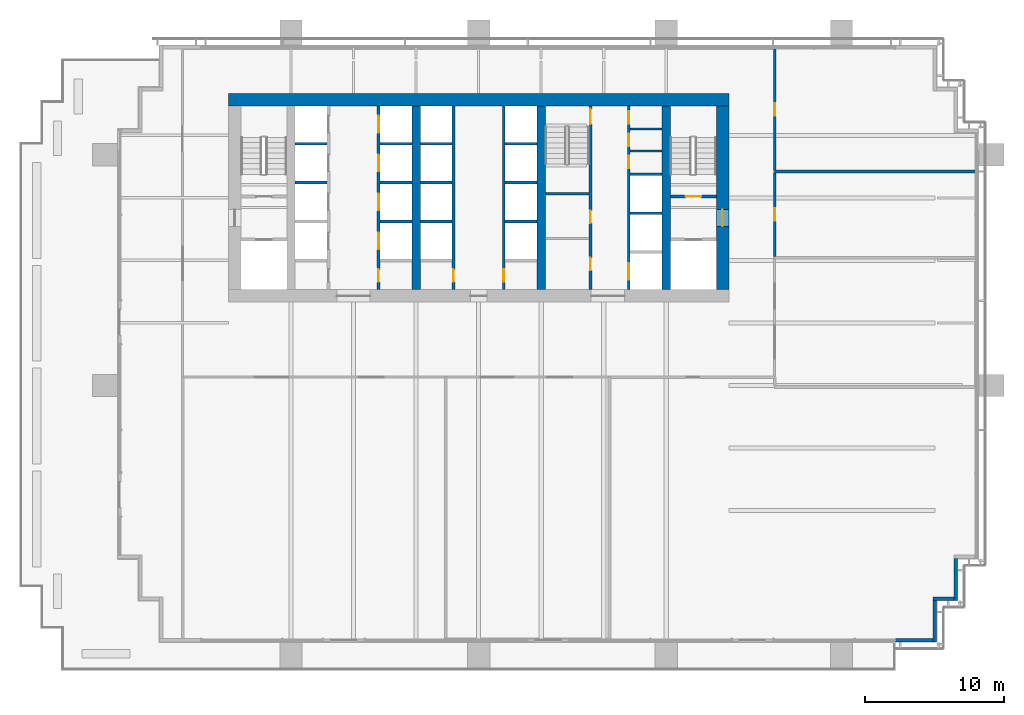
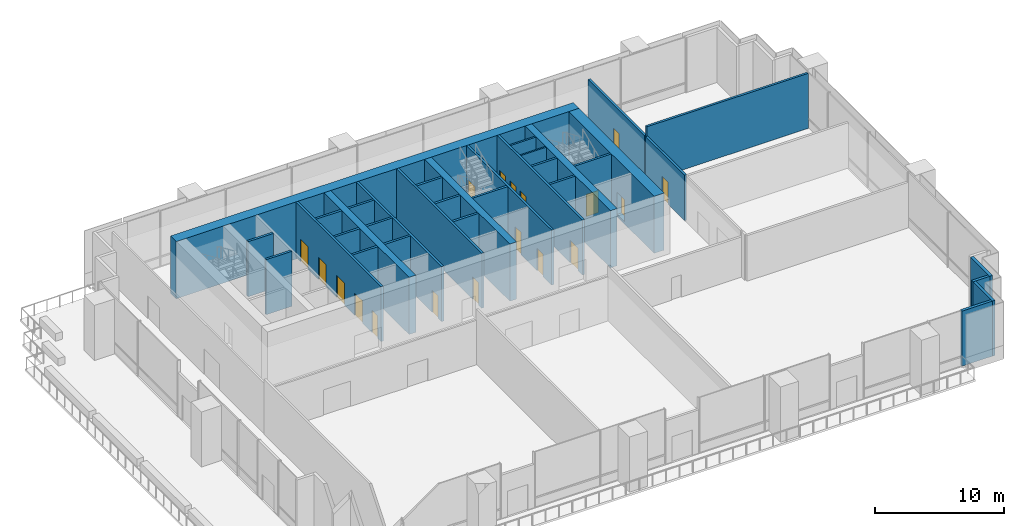
# One storey, part 9 of 15: 34 walls, 18 doors, 18 openings.
"""IFC4 building model written with IfcOpenShell, lengths in metres."""

from ifc_helpers import new_model, si_unit, direction, frame, frame_2d, origin, place, context, subcontext, project, spatial, rectangle, extrude, material, layer, layer_set, type_object, element, fill, save


model = new_model("IFC4")

# Units and contexts
model_context = context("Model", 3, precision=1e-05, world=origin(), true_north=direction((0.0, 1.0)))
body_context = subcontext(model_context, "Body", "Model", "MODEL_VIEW")
ifc_project = project(units=[si_unit("LENGTHUNIT", "METRE"), si_unit("AREAUNIT", "SQUARE_METRE"), si_unit("VOLUMEUNIT", "CUBIC_METRE"), si_unit("PLANEANGLEUNIT", "RADIAN"), si_unit("MASSUNIT", "GRAM", prefix="KILO")], contexts=[model_context])

# Site, building, storey
site_placement = place(None, origin())
site = spatial("IfcSite", under=ifc_project, at=site_placement, CompositionType="ELEMENT")
building_placement = place(site_placement, origin())
building = spatial("IfcBuilding", under=site, at=building_placement, Name="Rattan Terrace Tower", CompositionType="ELEMENT")
storey_placement = place(building_placement, frame((0.0, 0.0, 74.300048828125)))
storey = spatial("IfcBuildingStorey", under=building, at=storey_placement, Name="L16", CompositionType="ELEMENT", Elevation=74.300048828125)

# Walls
ifc_material_1 = material(Name="Gypsum board partition")
ifc_layer_1 = layer(ifc_material_1, 0.14990234375)
ifc_layer_set_1 = layer_set([ifc_layer_1], Name="Core partition 150")
wall_type_1 = type_object("IfcWallType", Name="Core partition 150", PredefinedType="PARTITIONING", material=ifc_layer_set_1)
for number, where, z_axis, x_axis, name in (
    (1, (10.89990234375, 3.384033203125, 0.0), (0.0, 0.0, 1.0), (1.0, 0.0, 0.0), "Riser room wall"),
    (2, (10.89990234375, 4.968017578125, 0.0), (0.0, 0.0, 1.0), (1.0, 0.0, 0.0), "Riser room wall"),
):
    element("IfcWall", number, at=place(storey_placement, frame(where, z_axis=z_axis, x_axis=x_axis)), inside=storey, type_object=wall_type_1, Name=name, PredefinedType="PARTITIONING", context=body_context, shape_type="SweptSolid", body=[
        extrude(rectangle(XDim=2.300048828125, YDim=0.14990234375, at=frame_2d((1.14990234375, 0.0))), origin(), (0.0, 0.0, 1.0), 5.199951171875),
    ])

# Wall, opening, door
ifc_material_2 = material(Name="Gypsum board partition")
ifc_layer_2 = layer(ifc_material_2, 0.199951171875)
ifc_layer_set_2 = layer_set([ifc_layer_2], Name="Core partition 200")
wall_type_2 = type_object("IfcWallType", Name="Core partition 200", PredefinedType="PARTITIONING", material=ifc_layer_set_2)
wall_1_placement = place(storey_placement, frame((13.800048828125, 0.10009765625, 0.0), z_axis=(0.0, 0.0, 1.0), x_axis=(1.0, 0.0, 0.0)))
wall_1 = element("IfcWall", 3, at=wall_1_placement, inside=storey, type_object=wall_type_2, Name="Stair enclosure wall", PredefinedType="PARTITIONING", context=body_context, shape_type="SweptSolid", body=[
    extrude(rectangle(XDim=3.300048828125, YDim=0.199951171875, at=frame_2d((1.64990234375, 0.0))), origin(), (0.0, 0.0, 1.0), 5.199951171875),
])
opening_1_placement = place(wall_1_placement, frame((1.10009765625, 0.0, 0.0)))
opening_1 = element("IfcOpeningElement", 4, at=opening_1_placement, cuts=wall_1, Name="Opening L16-D004", PredefinedType="OPENING", context=body_context, shape_type="SweptSolid", body=[
    extrude(rectangle(XDim=1.10009765625, YDim=2.10009765625, at=frame_2d((0.550048828125, 1.050048828125))), frame((0.0, 0.110595703125, 0.0), z_axis=(0.0, -1.0, 0.0), x_axis=(1.0, 0.0, 0.0)), (0.0, 0.0, 1.0), 0.220947265625),
])
ifc_material_3 = material(Name="Hollow-metal fire door leaf")
door_type_1 = type_object("IfcDoorType", Name="Core stair door 1100", OperationType="NOTDEFINED", PredefinedType="DOOR", material=ifc_material_3)
door_1_placement = place(opening_1_placement, origin())
door_1 = element("IfcDoor", 5, at=door_1_placement, inside=storey, type_object=door_type_1, Name="Door L16-D004", OperationType="SINGLE_SWING_RIGHT", OverallHeight=2.10009765625, OverallWidth=1.10009765625, PredefinedType="DOOR", context=body_context, shape_type="SweptSolid", body=[
    extrude(rectangle(XDim=1.10009765625, YDim=2.10009765625, at=frame_2d((0.550048828125, 1.050048828125))), frame((0.0, 0.02490234375, 0.0), z_axis=(0.0, -1.0, 0.0), x_axis=(1.0, 0.0, 0.0)), (0.0, 0.0, 1.0), 0.050048828125),
])
fill(opening_1, door_1)

# Wall, openings, doors
wall_2_placement = place(storey_placement, frame((8.050048828125, -6.60009765625, 0.0), z_axis=(0.0, 0.0, 1.0), x_axis=(0.0, 1.0, 0.0)))
wall_2 = element("IfcWall", 6, at=wall_2_placement, inside=storey, type_object=wall_type_2, Name="Lobby wall west", PredefinedType="PARTITIONING", context=body_context, shape_type="SweptSolid", body=[
    extrude(rectangle(XDim=13.2001953125, YDim=0.199951171875, at=frame_2d((6.60009765625, 0.0))), origin(), (0.0, 0.0, 1.0), 5.199951171875),
])
opening_2_placement = place(wall_2_placement, frame((1.385986328125, 0.0, 0.0)))
opening_2 = element("IfcOpeningElement", 7, at=opening_2_placement, cuts=wall_2, Name="Opening L16-D011", PredefinedType="OPENING", context=body_context, shape_type="SweptSolid", body=[
    extrude(rectangle(XDim=0.89990234375, YDim=2.10009765625, at=frame_2d((0.449951171875, 1.050048828125))), frame((0.0, 0.110595703125, 0.0), z_axis=(0.0, -1.0, 0.0), x_axis=(1.0, 0.0, 0.0)), (0.0, 0.0, 1.0), 0.220947265625),
])
opening_3_placement = place(wall_2_placement, frame((4.785888671875, 0.0, 0.0)))
opening_3 = element("IfcOpeningElement", 8, at=opening_3_placement, cuts=wall_2, Name="Opening L16-D012", PredefinedType="OPENING", context=body_context, shape_type="SweptSolid", body=[
    extrude(rectangle(XDim=0.89990234375, YDim=2.10009765625, at=frame_2d((0.449951171875, 1.050048828125))), frame((0.0, 0.110595703125, 0.0), z_axis=(0.0, -1.0, 0.0), x_axis=(1.0, 0.0, 0.0)), (0.0, 0.0, 1.0), 0.220947265625),
])
opening_4_placement = place(wall_2_placement, frame((11.89990234375, 0.0, 0.0)))
opening_4 = element("IfcOpeningElement", 9, at=opening_4_placement, cuts=wall_2, Name="Opening L16-D013", PredefinedType="OPENING", context=body_context, shape_type="SweptSolid", body=[
    extrude(rectangle(XDim=1.10009765625, YDim=2.10009765625, at=frame_2d((0.550048828125, 1.050048828125))), frame((0.0, 0.110595703125, 0.0), z_axis=(0.0, -1.0, 0.0), x_axis=(1.0, 0.0, 0.0)), (0.0, 0.0, 1.0), 0.220947265625),
])
door_2_placement = place(opening_4_placement, origin())
door_2 = element("IfcDoor", 10, at=door_2_placement, inside=storey, type_object=door_type_1, Name="Door L16-D013", OperationType="SINGLE_SWING_RIGHT", OverallHeight=2.10009765625, OverallWidth=1.10009765625, PredefinedType="DOOR", context=body_context, shape_type="SweptSolid", body=[
    extrude(rectangle(XDim=1.10009765625, YDim=2.10009765625, at=frame_2d((0.550048828125, 1.050048828125))), frame((0.0, 0.02490234375, 0.0), z_axis=(0.0, -1.0, 0.0), x_axis=(1.0, 0.0, 0.0)), (0.0, 0.0, 1.0), 0.050048828125),
])
fill(opening_4, door_2)
ifc_material_4 = material(Name="Hollow-metal fire door leaf")
door_type_2 = type_object("IfcDoorType", Name="Core toilet door 900", OperationType="NOTDEFINED", PredefinedType="DOOR", material=ifc_material_4)
door_3_placement = place(opening_2_placement, origin())
door_3 = element("IfcDoor", 11, at=door_3_placement, inside=storey, type_object=door_type_2, Name="Door L16-D011", OperationType="SINGLE_SWING_RIGHT", OverallHeight=2.10009765625, OverallWidth=0.89990234375, PredefinedType="DOOR", context=body_context, shape_type="SweptSolid", body=[
    extrude(rectangle(XDim=0.89990234375, YDim=2.10009765625, at=frame_2d((0.449951171875, 1.050048828125))), frame((0.0, 0.02490234375, 0.0), z_axis=(0.0, -1.0, 0.0), x_axis=(1.0, 0.0, 0.0)), (0.0, 0.0, 1.0), 0.050048828125),
])
fill(opening_2, door_3)
door_4_placement = place(opening_3_placement, origin())
door_4 = element("IfcDoor", 12, at=door_4_placement, inside=storey, type_object=door_type_2, Name="Door L16-D012", OperationType="SINGLE_SWING_LEFT", OverallHeight=2.10009765625, OverallWidth=0.89990234375, PredefinedType="DOOR", context=body_context, shape_type="SweptSolid", body=[
    extrude(rectangle(XDim=0.89990234375, YDim=2.10009765625, at=frame_2d((0.449951171875, 1.050048828125))), frame((0.0, 0.02490234375, 0.0), z_axis=(0.0, -1.0, 0.0), x_axis=(1.0, 0.0, 0.0)), (0.0, 0.0, 1.0), 0.050048828125),
])
fill(opening_3, door_4)

# Walls
wall_3_placement = place(storey_placement, frame((4.800048828125, 0.300048828125, 0.0), z_axis=(0.0, 0.0, 1.0), x_axis=(1.0, 0.0, 0.0)))
element("IfcWall", 13, at=wall_3_placement, inside=storey, type_object=wall_type_2, Name="Stair enclosure wall", PredefinedType="PARTITIONING", context=body_context, shape_type="SweptSolid", body=[
    extrude(rectangle(XDim=3.14990234375, YDim=0.199951171875, at=frame_2d((1.574951171875, 0.0))), origin(), (0.0, 0.0, 1.0), 5.199951171875),
])
ifc_material_5 = material(Name="Concrete C70/85", Category="concrete")
ifc_layer_3 = layer(ifc_material_5, 0.89990234375)
ifc_layer_set_3 = layer_set([ifc_layer_3], Name="Core ring wall 900 C70/85")
wall_type_3 = type_object("IfcWallType", Name="Core ring wall 900 C70/85", PredefinedType="SHEAR", material=ifc_layer_set_3)
wall_4_placement = place(storey_placement, frame((-18.0, 7.050048828125, -0.199951171875), z_axis=(0.0, 0.0, 1.0), x_axis=(1.0, 0.0, 0.0)))
element("IfcWall", 14, at=wall_4_placement, inside=storey, type_object=wall_type_3, Name="Rear core wall north", PredefinedType="SHEAR", context=body_context, shape_type="SweptSolid", body=[
    extrude(rectangle(XDim=36.0, YDim=0.89990234375, at=frame_2d((18.0, 0.0))), origin(), (0.0, 0.0, 1.0), 5.39990234375),
])

# Wall, opening, door
wall_5_placement = place(storey_placement, frame((17.550048828125, -6.60009765625, -0.199951171875), z_axis=(0.0, 0.0, 1.0), x_axis=(0.0, 1.0, 0.0)))
wall_5 = element("IfcWall", 15, at=wall_5_placement, inside=storey, type_object=wall_type_3, Name="Rear core wall east", PredefinedType="SHEAR", context=body_context, shape_type="SweptSolid", body=[
    extrude(rectangle(XDim=13.2001953125, YDim=0.89990234375, at=frame_2d((6.60009765625, 0.0))), origin(), (0.0, 0.0, 1.0), 5.39990234375),
])
opening_5_placement = place(wall_5_placement, frame((4.550048828125, 0.0, 0.199951171875)))
opening_5 = element("IfcOpeningElement", 16, at=opening_5_placement, cuts=wall_5, Name="Opening L16-D003", PredefinedType="OPENING", context=body_context, shape_type="SweptSolid", body=[
    extrude(rectangle(XDim=1.199951171875, YDim=2.10009765625, at=frame_2d((0.60009765625, 1.050048828125))), frame((0.0, 0.46044921875, 0.0), z_axis=(0.0, -1.0, 0.0), x_axis=(1.0, 0.0, 0.0)), (0.0, 0.0, 1.0), 0.9208984375),
])
ifc_material_6 = material(Name="Hollow-metal fire door leaf")
door_type_3 = type_object("IfcDoorType", Name="Core fire-fighting lobby door 1200", OperationType="NOTDEFINED", PredefinedType="DOOR", material=ifc_material_6)
door_5_placement = place(opening_5_placement, origin())
door_5 = element("IfcDoor", 17, at=door_5_placement, inside=storey, type_object=door_type_3, Name="Door L16-D003", OperationType="SINGLE_SWING_LEFT", OverallHeight=2.10009765625, OverallWidth=1.199951171875, PredefinedType="DOOR", context=body_context, shape_type="SweptSolid", body=[
    extrude(rectangle(XDim=1.199951171875, YDim=2.10009765625, at=frame_2d((0.60009765625, 1.050048828125))), frame((0.0, 0.02490234375, 0.0), z_axis=(0.0, -1.0, 0.0), x_axis=(1.0, 0.0, 0.0)), (0.0, 0.0, 1.0), 0.050048828125),
])
fill(opening_5, door_5)

# Walls
ifc_material_7 = material(Name="Concrete C70/85", Category="concrete")
ifc_layer_4 = layer(ifc_material_7, 0.60009765625)
ifc_layer_set_4 = layer_set([ifc_layer_4], Name="Core spine wall 600 C70/85")
wall_type_4 = type_object("IfcWallType", Name="Core spine wall 600 C70/85", PredefinedType="SHEAR", material=ifc_layer_set_4)
for number, where, z_axis, x_axis, name in (
    (18, (-4.5, -6.60009765625, -0.199951171875), (0.0, 0.0, 1.0), (0.0, 1.0, 0.0), "Core spine wall 2"),
    (19, (4.5, -6.60009765625, -0.199951171875), (0.0, 0.0, 1.0), (0.0, 1.0, 0.0), "Core spine wall 3"),
    (20, (13.5, -6.60009765625, -0.199951171875), (0.0, 0.0, 1.0), (0.0, 1.0, 0.0), "Core spine wall 4"),
):
    element("IfcWall", number, at=place(storey_placement, frame(where, z_axis=z_axis, x_axis=x_axis)), inside=storey, type_object=wall_type_4, Name=name, PredefinedType="SHEAR", context=body_context, shape_type="SweptSolid", body=[
        extrude(rectangle(XDim=13.2001953125, YDim=0.60009765625, at=frame_2d((6.60009765625, 0.0))), origin(), (0.0, 0.0, 1.0), 5.39990234375),
    ])
ifc_material_8 = material(Name="Insulated aluminium-clad stud wall", Category="aluminium")
ifc_layer_5 = layer(ifc_material_8, 0.25)
ifc_layer_set_5 = layer_set([ifc_layer_5], Name="Facade Riser Wall 250")
wall_type_5 = type_object("IfcWallType", Name="Facade Riser Wall 250", PredefinedType="SOLIDWALL", material=ifc_layer_set_5)
wall_6_placement = place(storey_placement, frame((30.0, -31.830078125, 0.0), z_axis=(0.0, 0.0, 1.0), x_axis=(1.0, 0.0, 0.0)))
element("IfcWall", 21, at=wall_6_placement, inside=storey, type_object=wall_type_5, Name="Riser wall L16-1", PredefinedType="SOLIDWALL", context=body_context, shape_type="SweptSolid", body=[
    extrude(rectangle(XDim=2.705078125, YDim=0.25, at=frame_2d((1.3525390625, 0.0))), origin(), (0.0, 0.0, 1.0), 5.199951171875),
])
wall_7_placement = place(storey_placement, frame((32.830078125, -31.955078125, 0.0), z_axis=(0.0, 0.0, 1.0), x_axis=(0.0, 1.0, 0.0)))
element("IfcWall", 22, at=wall_7_placement, inside=storey, type_object=wall_type_5, Name="Riser wall L16-2", PredefinedType="SOLIDWALL", context=body_context, shape_type="SweptSolid", body=[
    extrude(rectangle(XDim=3.0, YDim=0.25, at=frame_2d((1.5, 0.0))), origin(), (0.0, 0.0, 1.0), 5.199951171875),
])
wall_8_placement = place(storey_placement, frame((32.705078125, -28.830078125, 0.0), z_axis=(0.0, 0.0, 1.0), x_axis=(1.0, 0.0, 0.0)))
element("IfcWall", 23, at=wall_8_placement, inside=storey, type_object=wall_type_5, Name="Riser wall L16-3", PredefinedType="SOLIDWALL", context=body_context, shape_type="SweptSolid", body=[
    extrude(rectangle(XDim=1.5, YDim=0.25, at=frame_2d((0.75, 0.0))), origin(), (0.0, 0.0, 1.0), 5.199951171875),
])
wall_9_placement = place(storey_placement, frame((34.330078125, -28.955078125, 0.0), z_axis=(0.0, 0.0, 1.0), x_axis=(0.0, 1.0, 0.0)))
element("IfcWall", 24, at=wall_9_placement, inside=storey, type_object=wall_type_5, Name="Riser wall L16-4", PredefinedType="SOLIDWALL", context=body_context, shape_type="SweptSolid", body=[
    extrude(rectangle(XDim=3.0, YDim=0.25, at=frame_2d((1.5, 0.0))), origin(), (0.0, 0.0, 1.0), 5.199951171875),
])

# Wall, opening, door
ifc_material_9 = material(Name="Concrete block wall, plastered", Category="concrete")
ifc_layer_6 = layer(ifc_material_9, 0.199951171875)
ifc_layer_set_6 = layer_set([ifc_layer_6], Name="Floors Plant Wall 200")
wall_type_6 = type_object("IfcWallType", Name="Floors Plant Wall 200", PredefinedType="PARTITIONING", material=ifc_layer_set_6)
wall_10_placement = place(storey_placement, frame((21.299072265625, 1.800048828125, 0.0), z_axis=(0.0, 0.0, 1.0), x_axis=(0.0, -1.0, 0.0)))
wall_10 = element("IfcWall", 25, at=wall_10_placement, inside=storey, type_object=wall_type_6, Name="pt-L16-006", PredefinedType="PARTITIONING", context=body_context, shape_type="SweptSolid", body=[
    extrude(rectangle(XDim=6.0, YDim=0.199951171875, at=frame_2d((3.0, 0.0))), origin(), (0.0, 0.0, 1.0), 4.300048828125),
])
opening_6_placement = place(wall_10_placement, frame((2.550048828125, 0.0, 0.0)))
opening_6 = element("IfcOpeningElement", 26, at=opening_6_placement, cuts=wall_10, Name="Opening L16-D105", PredefinedType="OPENING", context=body_context, shape_type="SweptSolid", body=[
    extrude(rectangle(XDim=0.89990234375, YDim=2.10009765625, at=frame_2d((0.449951171875, 1.050048828125))), frame((0.0, 0.110595703125, 0.0), z_axis=(0.0, -1.0, 0.0), x_axis=(1.0, 0.0, 0.0)), (0.0, 0.0, 1.0), 0.220947265625),
])
ifc_material_10 = material(Name="Steel fire door set", Category="steel")
door_type_4 = type_object("IfcDoorType", Name="Floors Fire Door FD60 900x2100", OperationType="NOTDEFINED", PredefinedType="DOOR", material=ifc_material_10)
door_6_placement = place(opening_6_placement, origin())
door_6 = element("IfcDoor", 27, at=door_6_placement, inside=storey, type_object=door_type_4, Name="d-L16-105", OperationType="SINGLE_SWING_RIGHT", OverallHeight=2.10009765625, OverallWidth=0.89990234375, PredefinedType="DOOR", context=body_context, shape_type="SweptSolid", body=[
    extrude(rectangle(XDim=0.89990234375, YDim=2.10009765625, at=frame_2d((0.449951171875, 1.050048828125))), frame((0.0, 0.02490234375, 0.0), z_axis=(0.0, -1.0, 0.0), x_axis=(1.0, 0.0, 0.0)), (0.0, 0.0, 1.0), 0.050048828125),
])
fill(opening_6, door_6)

wall_11_placement = place(storey_placement, frame((21.300048828125, 10.739990234375, 0.0), z_axis=(0.0, 0.0, 1.0), x_axis=(0.0, -1.0, 0.0)))
wall_11 = element("IfcWall", 28, at=wall_11_placement, inside=storey, type_object=wall_type_6, Name="pt-L16-007", PredefinedType="PARTITIONING", context=body_context, shape_type="SweptSolid", body=[
    extrude(rectangle(XDim=8.739990234375, YDim=0.199951171875, at=frame_2d((4.3701171875, 0.0))), origin(), (0.0, 0.0, 1.0), 4.300048828125),
])
opening_7_placement = place(wall_11_placement, frame((3.919921875, 0.0, 0.0)))
opening_7 = element("IfcOpeningElement", 29, at=opening_7_placement, cuts=wall_11, Name="Opening L16-D106", PredefinedType="OPENING", context=body_context, shape_type="SweptSolid", body=[
    extrude(rectangle(XDim=0.89990234375, YDim=2.10009765625, at=frame_2d((0.449951171875, 1.050048828125))), frame((0.0, 0.110595703125, 0.0), z_axis=(0.0, -1.0, 0.0), x_axis=(1.0, 0.0, 0.0)), (0.0, 0.0, 1.0), 0.220947265625),
])
door_7_placement = place(opening_7_placement, origin())
door_7 = element("IfcDoor", 30, at=door_7_placement, inside=storey, type_object=door_type_4, Name="d-L16-106", OperationType="SINGLE_SWING_LEFT", OverallHeight=2.10009765625, OverallWidth=0.89990234375, PredefinedType="DOOR", context=body_context, shape_type="SweptSolid", body=[
    extrude(rectangle(XDim=0.89990234375, YDim=2.10009765625, at=frame_2d((0.449951171875, 1.050048828125))), frame((0.0, 0.02490234375, 0.0), z_axis=(0.0, -1.0, 0.0), x_axis=(1.0, 0.0, 0.0)), (0.0, 0.0, 1.0), 0.050048828125),
])
fill(opening_7, door_7)

# Wall
wall_12_placement = place(storey_placement, frame((21.300048828125, 1.89990234375, 0.0), z_axis=(0.0, 0.0, 1.0), x_axis=(1.0, 0.0, 0.0)))
element("IfcWall", 31, at=wall_12_placement, inside=storey, type_object=wall_type_6, Name="pt-L16-014", PredefinedType="PARTITIONING", context=body_context, shape_type="SweptSolid", body=[
    extrude(rectangle(XDim=14.43994140625, YDim=0.199951171875, at=frame_2d((7.219970703125, 0.0))), origin(), (0.0, 0.0, 1.0), 5.199951171875),
])

# Wall, openings, doors
ifc_material_11 = material(Name="Gypsum shaft wall system")
ifc_layer_7 = layer(ifc_material_11, 0.199951171875)
ifc_layer_set_7 = layer_set([ifc_layer_7], Name="Lift shaft wall 200")
wall_type_7 = type_object("IfcWallType", Name="Lift shaft wall 200", PredefinedType="PARTITIONING", material=ifc_layer_set_7)
wall_13_placement = place(storey_placement, frame((-7.199951171875, -6.60009765625, 0.0), z_axis=(0.0, 0.0, 1.0), x_axis=(0.0, 1.0, 0.0)))
wall_13 = element("IfcWall", 32, at=wall_13_placement, inside=storey, type_object=wall_type_7, Name="Lift shaft front wall", PredefinedType="PARTITIONING", context=body_context, shape_type="SweptSolid", body=[
    extrude(rectangle(XDim=13.2001953125, YDim=0.199951171875, at=frame_2d((6.60009765625, 0.0))), origin(), (0.0, 0.0, 1.0), 5.199951171875),
])
opening_8_placement = place(wall_13_placement, frame((0.550048828125, 0.0, 0.0)))
opening_8 = element("IfcOpeningElement", 33, at=opening_8_placement, cuts=wall_13, Name="Opening L16-D006", PredefinedType="OPENING", context=body_context, shape_type="SweptSolid", body=[
    extrude(rectangle(XDim=0.89990234375, YDim=2.10009765625, at=frame_2d((0.449951171875, 1.050048828125))), frame((0.0, 0.110595703125, 0.0), z_axis=(0.0, -1.0, 0.0), x_axis=(1.0, 0.0, 0.0)), (0.0, 0.0, 1.0), 0.220947265625),
])
opening_9_placement = place(wall_13_placement, frame((2.89990234375, 0.0, 0.0)))
opening_9 = element("IfcOpeningElement", 34, at=opening_9_placement, cuts=wall_13, Name="Opening L16-LD-LR5", PredefinedType="OPENING", context=body_context, shape_type="SweptSolid", body=[
    extrude(rectangle(XDim=1.199951171875, YDim=2.10009765625, at=frame_2d((0.60009765625, 1.050048828125))), frame((0.0, 0.110595703125, 0.0), z_axis=(0.0, -1.0, 0.0), x_axis=(1.0, 0.0, 0.0)), (0.0, 0.0, 1.0), 0.220947265625),
])
opening_10_placement = place(wall_13_placement, frame((5.699951171875, 0.0, 0.0)))
opening_10 = element("IfcOpeningElement", 35, at=opening_10_placement, cuts=wall_13, Name="Opening L16-LD-LR6", PredefinedType="OPENING", context=body_context, shape_type="SweptSolid", body=[
    extrude(rectangle(XDim=1.199951171875, YDim=2.10009765625, at=frame_2d((0.60009765625, 1.050048828125))), frame((0.0, 0.110595703125, 0.0), z_axis=(0.0, -1.0, 0.0), x_axis=(1.0, 0.0, 0.0)), (0.0, 0.0, 1.0), 0.220947265625),
])
opening_11_placement = place(wall_13_placement, frame((8.5, 0.0, 0.0)))
opening_11 = element("IfcOpeningElement", 36, at=opening_11_placement, cuts=wall_13, Name="Opening L16-LD-LR7", PredefinedType="OPENING", context=body_context, shape_type="SweptSolid", body=[
    extrude(rectangle(XDim=1.199951171875, YDim=2.10009765625, at=frame_2d((0.60009765625, 1.050048828125))), frame((0.0, 0.110595703125, 0.0), z_axis=(0.0, -1.0, 0.0), x_axis=(1.0, 0.0, 0.0)), (0.0, 0.0, 1.0), 0.220947265625),
])
opening_12_placement = place(wall_13_placement, frame((11.300048828125, 0.0, 0.0)))
opening_12 = element("IfcOpeningElement", 37, at=opening_12_placement, cuts=wall_13, Name="Opening L16-LD-LR8", PredefinedType="OPENING", context=body_context, shape_type="SweptSolid", body=[
    extrude(rectangle(XDim=1.199951171875, YDim=2.10009765625, at=frame_2d((0.60009765625, 1.050048828125))), frame((0.0, 0.110595703125, 0.0), z_axis=(0.0, -1.0, 0.0), x_axis=(1.0, 0.0, 0.0)), (0.0, 0.0, 1.0), 0.220947265625),
])
ifc_material_12 = material(Name="Brushed stainless landing door panel")
door_type_5 = type_object("IfcDoorType", Name="Core lift landing door 1200", OperationType="DOUBLE_DOOR_SLIDING", PredefinedType="DOOR", material=ifc_material_12)
door_8_placement = place(opening_9_placement, origin())
door_8 = element("IfcDoor", 38, at=door_8_placement, inside=storey, type_object=door_type_5, Name="Door L16-LD-LR5", OperationType="DOUBLE_DOOR_SLIDING", OverallHeight=2.10009765625, OverallWidth=1.199951171875, PredefinedType="DOOR", context=body_context, shape_type="SweptSolid", body=[
    extrude(rectangle(XDim=1.199951171875, YDim=2.10009765625, at=frame_2d((0.60009765625, 1.050048828125))), frame((0.0, 0.02490234375, 0.0), z_axis=(0.0, -1.0, 0.0), x_axis=(1.0, 0.0, 0.0)), (0.0, 0.0, 1.0), 0.050048828125),
])
fill(opening_9, door_8)
door_9_placement = place(opening_10_placement, origin())
door_9 = element("IfcDoor", 39, at=door_9_placement, inside=storey, type_object=door_type_5, Name="Door L16-LD-LR6", OperationType="DOUBLE_DOOR_SLIDING", OverallHeight=2.10009765625, OverallWidth=1.199951171875, PredefinedType="DOOR", context=body_context, shape_type="SweptSolid", body=[
    extrude(rectangle(XDim=1.199951171875, YDim=2.10009765625, at=frame_2d((0.60009765625, 1.050048828125))), frame((0.0, 0.02490234375, 0.0), z_axis=(0.0, -1.0, 0.0), x_axis=(1.0, 0.0, 0.0)), (0.0, 0.0, 1.0), 0.050048828125),
])
fill(opening_10, door_9)
door_10_placement = place(opening_11_placement, origin())
door_10 = element("IfcDoor", 40, at=door_10_placement, inside=storey, type_object=door_type_5, Name="Door L16-LD-LR7", OperationType="DOUBLE_DOOR_SLIDING", OverallHeight=2.10009765625, OverallWidth=1.199951171875, PredefinedType="DOOR", context=body_context, shape_type="SweptSolid", body=[
    extrude(rectangle(XDim=1.199951171875, YDim=2.10009765625, at=frame_2d((0.60009765625, 1.050048828125))), frame((0.0, 0.02490234375, 0.0), z_axis=(0.0, -1.0, 0.0), x_axis=(1.0, 0.0, 0.0)), (0.0, 0.0, 1.0), 0.050048828125),
])
fill(opening_11, door_10)
door_11_placement = place(opening_12_placement, origin())
door_11 = element("IfcDoor", 41, at=door_11_placement, inside=storey, type_object=door_type_5, Name="Door L16-LD-LR8", OperationType="DOUBLE_DOOR_SLIDING", OverallHeight=2.10009765625, OverallWidth=1.199951171875, PredefinedType="DOOR", context=body_context, shape_type="SweptSolid", body=[
    extrude(rectangle(XDim=1.199951171875, YDim=2.10009765625, at=frame_2d((0.60009765625, 1.050048828125))), frame((0.0, 0.02490234375, 0.0), z_axis=(0.0, -1.0, 0.0), x_axis=(1.0, 0.0, 0.0)), (0.0, 0.0, 1.0), 0.050048828125),
])
fill(opening_12, door_11)
ifc_material_13 = material(Name="Hollow-metal fire door leaf")
door_type_6 = type_object("IfcDoorType", Name="Core riser door 900", OperationType="NOTDEFINED", PredefinedType="DOOR", material=ifc_material_13)
door_12_placement = place(opening_8_placement, origin())
door_12 = element("IfcDoor", 42, at=door_12_placement, inside=storey, type_object=door_type_6, Name="Door L16-D006", OperationType="SINGLE_SWING_RIGHT", OverallHeight=2.10009765625, OverallWidth=0.89990234375, PredefinedType="DOOR", context=body_context, shape_type="SweptSolid", body=[
    extrude(rectangle(XDim=0.89990234375, YDim=2.10009765625, at=frame_2d((0.449951171875, 1.050048828125))), frame((0.0, 0.02490234375, 0.0), z_axis=(0.0, -1.0, 0.0), x_axis=(1.0, 0.0, 0.0)), (0.0, 0.0, 1.0), 0.050048828125),
])
fill(opening_8, door_12)

# Walls
for number, where, z_axis, x_axis, name in (
    (43, (-13.199951171875, 1.10009765625, 0.0), (0.0, 0.0, 1.0), (1.0, 0.0, 0.0), "Lift shaft wall"),
    (44, (-13.199951171875, 3.89990234375, 0.0), (0.0, 0.0, 1.0), (1.0, 0.0, 0.0), "Lift shaft wall"),
    (45, (-7.10009765625, -1.699951171875, 0.0), (0.0, 0.0, 1.0), (1.0, 0.0, 0.0), "Lift shaft wall"),
    (46, (-7.10009765625, 1.10009765625, 0.0), (0.0, 0.0, 1.0), (1.0, 0.0, 0.0), "Lift shaft wall"),
    (47, (-7.10009765625, 3.89990234375, 0.0), (0.0, 0.0, 1.0), (1.0, 0.0, 0.0), "Lift shaft wall"),
):
    element("IfcWall", number, at=place(storey_placement, frame(where, z_axis=z_axis, x_axis=x_axis)), inside=storey, type_object=wall_type_7, Name=name, PredefinedType="PARTITIONING", context=body_context, shape_type="SweptSolid", body=[
        extrude(rectangle(XDim=2.300048828125, YDim=0.199951171875, at=frame_2d((1.14990234375, 0.0))), origin(), (0.0, 0.0, 1.0), 5.199951171875),
    ])

# Wall, opening, door
wall_14_placement = place(storey_placement, frame((-1.800048828125, -6.60009765625, 0.0), z_axis=(0.0, 0.0, 1.0), x_axis=(0.0, 1.0, 0.0)))
wall_14 = element("IfcWall", 48, at=wall_14_placement, inside=storey, type_object=wall_type_7, Name="Lift shaft front wall", PredefinedType="PARTITIONING", context=body_context, shape_type="SweptSolid", body=[
    extrude(rectangle(XDim=13.2001953125, YDim=0.199951171875, at=frame_2d((6.60009765625, 0.0))), origin(), (0.0, 0.0, 1.0), 5.199951171875),
])
opening_13_placement = place(wall_14_placement, frame((0.550048828125, 0.0, 0.0)))
opening_13 = element("IfcOpeningElement", 49, at=opening_13_placement, cuts=wall_14, Name="Opening L16-D008", PredefinedType="OPENING", context=body_context, shape_type="SweptSolid", body=[
    extrude(rectangle(XDim=0.89990234375, YDim=2.10009765625, at=frame_2d((0.449951171875, 1.050048828125))), frame((0.0, 0.110595703125, 0.0), z_axis=(0.0, -1.0, 0.0), x_axis=(1.0, 0.0, 0.0)), (0.0, 0.0, 1.0), 0.220947265625),
])
door_13_placement = place(opening_13_placement, origin())
door_13 = element("IfcDoor", 50, at=door_13_placement, inside=storey, type_object=door_type_6, Name="Door L16-D008", OperationType="SINGLE_SWING_LEFT", OverallHeight=2.10009765625, OverallWidth=0.89990234375, PredefinedType="DOOR", context=body_context, shape_type="SweptSolid", body=[
    extrude(rectangle(XDim=0.89990234375, YDim=2.10009765625, at=frame_2d((0.449951171875, 1.050048828125))), frame((0.0, 0.02490234375, 0.0), z_axis=(0.0, -1.0, 0.0), x_axis=(1.0, 0.0, 0.0)), (0.0, 0.0, 1.0), 0.050048828125),
])
fill(opening_13, door_13)

wall_15_placement = place(storey_placement, frame((1.800048828125, -6.60009765625, 0.0), z_axis=(0.0, 0.0, 1.0), x_axis=(0.0, 1.0, 0.0)))
wall_15 = element("IfcWall", 51, at=wall_15_placement, inside=storey, type_object=wall_type_7, Name="Lift shaft front wall", PredefinedType="PARTITIONING", context=body_context, shape_type="SweptSolid", body=[
    extrude(rectangle(XDim=13.2001953125, YDim=0.199951171875, at=frame_2d((6.60009765625, 0.0))), origin(), (0.0, 0.0, 1.0), 5.199951171875),
])
opening_14_placement = place(wall_15_placement, frame((0.550048828125, 0.0, 0.0)))
opening_14 = element("IfcOpeningElement", 52, at=opening_14_placement, cuts=wall_15, Name="Opening L16-D009", PredefinedType="OPENING", context=body_context, shape_type="SweptSolid", body=[
    extrude(rectangle(XDim=0.89990234375, YDim=2.10009765625, at=frame_2d((0.449951171875, 1.050048828125))), frame((0.0, 0.110595703125, 0.0), z_axis=(0.0, -1.0, 0.0), x_axis=(1.0, 0.0, 0.0)), (0.0, 0.0, 1.0), 0.220947265625),
])
door_14_placement = place(opening_14_placement, origin())
door_14 = element("IfcDoor", 53, at=door_14_placement, inside=storey, type_object=door_type_6, Name="Door L16-D009", OperationType="SINGLE_SWING_RIGHT", OverallHeight=2.10009765625, OverallWidth=0.89990234375, PredefinedType="DOOR", context=body_context, shape_type="SweptSolid", body=[
    extrude(rectangle(XDim=0.89990234375, YDim=2.10009765625, at=frame_2d((0.449951171875, 1.050048828125))), frame((0.0, 0.02490234375, 0.0), z_axis=(0.0, -1.0, 0.0), x_axis=(1.0, 0.0, 0.0)), (0.0, 0.0, 1.0), 0.050048828125),
])
fill(opening_14, door_14)

# Walls
for number, where, z_axis, x_axis, name in (
    (54, (-4.199951171875, -1.699951171875, 0.0), (0.0, 0.0, 1.0), (1.0, 0.0, 0.0), "Lift shaft wall"),
    (55, (-4.199951171875, 1.10009765625, 0.0), (0.0, 0.0, 1.0), (1.0, 0.0, 0.0), "Lift shaft wall"),
    (56, (-4.199951171875, 3.89990234375, 0.0), (0.0, 0.0, 1.0), (1.0, 0.0, 0.0), "Lift shaft wall"),
    (57, (1.89990234375, -1.699951171875, 0.0), (0.0, 0.0, 1.0), (1.0, 0.0, 0.0), "Lift shaft wall"),
    (58, (1.89990234375, 1.10009765625, 0.0), (0.0, 0.0, 1.0), (1.0, 0.0, 0.0), "Lift shaft wall"),
    (59, (1.89990234375, 3.89990234375, 0.0), (0.0, 0.0, 1.0), (1.0, 0.0, 0.0), "Lift shaft wall"),
):
    element("IfcWall", number, at=place(storey_placement, frame(where, z_axis=z_axis, x_axis=x_axis)), inside=storey, type_object=wall_type_7, Name=name, PredefinedType="PARTITIONING", context=body_context, shape_type="SweptSolid", body=[
        extrude(rectangle(XDim=2.300048828125, YDim=0.199951171875, at=frame_2d((1.14990234375, 0.0))), origin(), (0.0, 0.0, 1.0), 5.199951171875),
    ])

# Wall, openings, doors
wall_16_placement = place(storey_placement, frame((10.800048828125, -6.60009765625, 0.0), z_axis=(0.0, 0.0, 1.0), x_axis=(0.0, 1.0, 0.0)))
wall_16 = element("IfcWall", 60, at=wall_16_placement, inside=storey, type_object=wall_type_7, Name="Lift shaft front wall", PredefinedType="PARTITIONING", context=body_context, shape_type="SweptSolid", body=[
    extrude(rectangle(XDim=13.2001953125, YDim=0.199951171875, at=frame_2d((6.60009765625, 0.0))), origin(), (0.0, 0.0, 1.0), 5.199951171875),
])
opening_15_placement = place(wall_16_placement, frame((0.699951171875, 0.0, 0.0)))
opening_15 = element("IfcOpeningElement", 61, at=opening_15_placement, cuts=wall_16, Name="Opening L16-LD-SV1", PredefinedType="OPENING", context=body_context, shape_type="SweptSolid", body=[
    extrude(rectangle(XDim=1.199951171875, YDim=2.10009765625, at=frame_2d((0.60009765625, 1.050048828125))), frame((0.0, 0.110595703125, 0.0), z_axis=(0.0, -1.0, 0.0), x_axis=(1.0, 0.0, 0.0)), (0.0, 0.0, 1.0), 0.220947265625),
])
opening_16_placement = place(wall_16_placement, frame((8.741943359375, 0.0, 0.0)))
opening_16 = element("IfcOpeningElement", 62, at=opening_16_placement, cuts=wall_16, Name="Opening L16-D015", PredefinedType="OPENING", context=body_context, shape_type="SweptSolid", body=[
    extrude(rectangle(XDim=0.89990234375, YDim=2.10009765625, at=frame_2d((0.449951171875, 1.050048828125))), frame((0.0, 0.110595703125, 0.0), z_axis=(0.0, -1.0, 0.0), x_axis=(1.0, 0.0, 0.0)), (0.0, 0.0, 1.0), 0.220947265625),
])
opening_17_placement = place(wall_16_placement, frame((10.325927734375, 0.0, 0.0)))
opening_17 = element("IfcOpeningElement", 63, at=opening_17_placement, cuts=wall_16, Name="Opening L16-D016", PredefinedType="OPENING", context=body_context, shape_type="SweptSolid", body=[
    extrude(rectangle(XDim=0.89990234375, YDim=2.10009765625, at=frame_2d((0.449951171875, 1.050048828125))), frame((0.0, 0.110595703125, 0.0), z_axis=(0.0, -1.0, 0.0), x_axis=(1.0, 0.0, 0.0)), (0.0, 0.0, 1.0), 0.220947265625),
])
opening_18_placement = place(wall_16_placement, frame((11.93408203125, 0.0, 0.0)))
opening_18 = element("IfcOpeningElement", 64, at=opening_18_placement, cuts=wall_16, Name="Opening L16-D017", PredefinedType="OPENING", context=body_context, shape_type="SweptSolid", body=[
    extrude(rectangle(XDim=0.89990234375, YDim=2.10009765625, at=frame_2d((0.449951171875, 1.050048828125))), frame((0.0, 0.110595703125, 0.0), z_axis=(0.0, -1.0, 0.0), x_axis=(1.0, 0.0, 0.0)), (0.0, 0.0, 1.0), 0.220947265625),
])
door_15_placement = place(opening_15_placement, origin())
door_15 = element("IfcDoor", 65, at=door_15_placement, inside=storey, type_object=door_type_5, Name="Door L16-LD-SV1", OperationType="DOUBLE_DOOR_SLIDING", OverallHeight=2.10009765625, OverallWidth=1.199951171875, PredefinedType="DOOR", context=body_context, shape_type="SweptSolid", body=[
    extrude(rectangle(XDim=1.199951171875, YDim=2.10009765625, at=frame_2d((0.60009765625, 1.050048828125))), frame((0.0, 0.02490234375, 0.0), z_axis=(0.0, -1.0, 0.0), x_axis=(1.0, 0.0, 0.0)), (0.0, 0.0, 1.0), 0.050048828125),
])
fill(opening_15, door_15)
door_16_placement = place(opening_16_placement, origin())
door_16 = element("IfcDoor", 66, at=door_16_placement, inside=storey, type_object=door_type_6, Name="Door L16-D015", OperationType="SINGLE_SWING_LEFT", OverallHeight=2.10009765625, OverallWidth=0.89990234375, PredefinedType="DOOR", context=body_context, shape_type="SweptSolid", body=[
    extrude(rectangle(XDim=0.89990234375, YDim=2.10009765625, at=frame_2d((0.449951171875, 1.050048828125))), frame((0.0, 0.02490234375, 0.0), z_axis=(0.0, -1.0, 0.0), x_axis=(1.0, 0.0, 0.0)), (0.0, 0.0, 1.0), 0.050048828125),
])
fill(opening_16, door_16)
door_17_placement = place(opening_17_placement, origin())
door_17 = element("IfcDoor", 67, at=door_17_placement, inside=storey, type_object=door_type_6, Name="Door L16-D016", OperationType="SINGLE_SWING_RIGHT", OverallHeight=2.10009765625, OverallWidth=0.89990234375, PredefinedType="DOOR", context=body_context, shape_type="SweptSolid", body=[
    extrude(rectangle(XDim=0.89990234375, YDim=2.10009765625, at=frame_2d((0.449951171875, 1.050048828125))), frame((0.0, 0.02490234375, 0.0), z_axis=(0.0, -1.0, 0.0), x_axis=(1.0, 0.0, 0.0)), (0.0, 0.0, 1.0), 0.050048828125),
])
fill(opening_17, door_17)
ifc_material_14 = material(Name="Hollow-metal fire door leaf")
door_type_7 = type_object("IfcDoorType", Name="Core service room door 900", OperationType="NOTDEFINED", PredefinedType="DOOR", material=ifc_material_14)
door_18_placement = place(opening_18_placement, origin())
door_18 = element("IfcDoor", 68, at=door_18_placement, inside=storey, type_object=door_type_7, Name="Door L16-D017", OperationType="SINGLE_SWING_LEFT", OverallHeight=2.10009765625, OverallWidth=0.89990234375, PredefinedType="DOOR", context=body_context, shape_type="SweptSolid", body=[
    extrude(rectangle(XDim=0.89990234375, YDim=2.10009765625, at=frame_2d((0.449951171875, 1.050048828125))), frame((0.0, 0.02490234375, 0.0), z_axis=(0.0, -1.0, 0.0), x_axis=(1.0, 0.0, 0.0)), (0.0, 0.0, 1.0), 0.050048828125),
])
fill(opening_18, door_18)

# Walls
for number, where, z_axis, x_axis, name in (
    (69, (10.89990234375, -1.10009765625, 0.0), (0.0, 0.0, 1.0), (1.0, 0.0, 0.0), "Lift shaft wall"),
    (70, (10.89990234375, 1.699951171875, 0.0), (0.0, 0.0, 1.0), (1.0, 0.0, 0.0), "Lift shaft wall"),
):
    element("IfcWall", number, at=place(storey_placement, frame(where, z_axis=z_axis, x_axis=x_axis)), inside=storey, type_object=wall_type_7, Name=name, PredefinedType="PARTITIONING", context=body_context, shape_type="SweptSolid", body=[
        extrude(rectangle(XDim=2.300048828125, YDim=0.199951171875, at=frame_2d((1.14990234375, 0.0))), origin(), (0.0, 0.0, 1.0), 5.199951171875),
    ])

save(model, "model.ifc")
